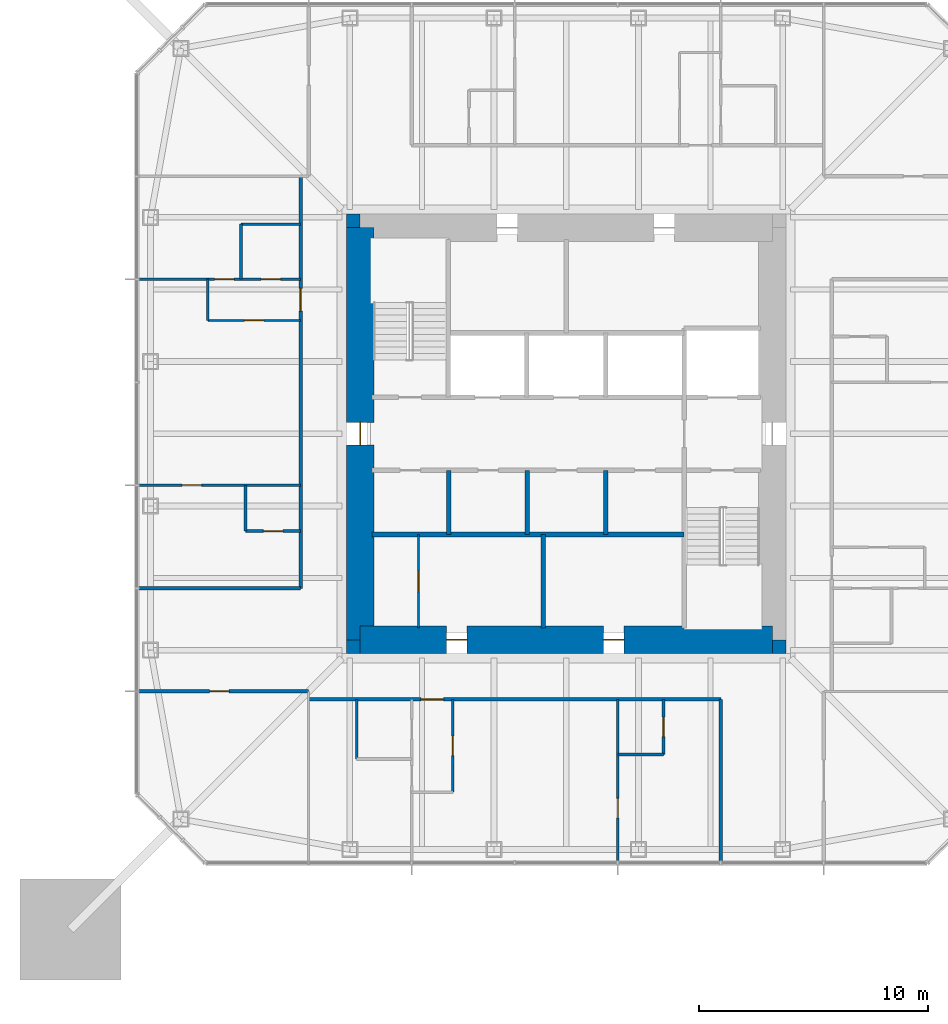
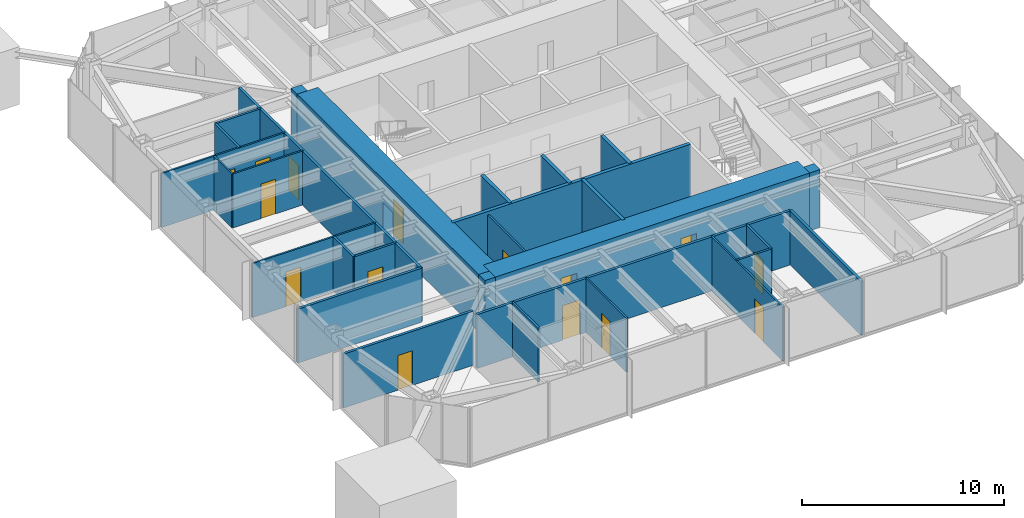
# One storey, part 6 of 11: 29 walls, 15 doors, 15 openings.
"""IFC4 building model written with IfcOpenShell, lengths in metres."""

import ifcopenshell
import ifcopenshell.guid

model = None  # the IFC model being written
_history = None  # IfcOwnerHistory: only IFC2X3 demands one
_inside = {}  # id of a spatial element -> (the spatial element, [elements in it])
_under = {}  # id of a project, library or spatial element -> (it, [spatial elements below it])
_declared = {}  # id of a project -> (the project, [libraries it declares])
_typed = {}  # id of a type object -> (the type object, [elements of that type])
_made_of = {}  # id of a material, layer set ... -> (it, [elements and type objects made of it])


def new_model(schema):
    """Start an empty IFC model of exactly this schema.

    Asked for "IFC4X3", IfcOpenShell would pick the latest addendum, in which some entities
    have other attributes; the version numbers below select the first issue.
    IFC2X3 requires an IfcOwnerHistory on every rooted entity: one is made here for all.
    """
    global model, _history
    if schema == "IFC4X3":
        model = ifcopenshell.file(schema_version=(4, 3, 0, 0))
    else:
        model = ifcopenshell.file(schema=schema)
    _inside.clear()
    _under.clear()
    _declared.clear()
    _typed.clear()
    _made_of.clear()
    _history = None
    if model.schema == "IFC2X3":
        org = make("IfcOrganization", Name="unknown")
        user = make(
            "IfcPersonAndOrganization",
            ThePerson=make("IfcPerson", FamilyName="unknown"),
            TheOrganization=org,
        )
        app = make(
            "IfcApplication",
            ApplicationDeveloper=org,
            Version="unknown",
            ApplicationFullName="unknown",
            ApplicationIdentifier="unknown",
        )
        _history = make(
            "IfcOwnerHistory",
            OwningUser=user,
            OwningApplication=app,
            ChangeAction="ADDED",
            CreationDate=0,
        )
    return model


def make(cls, **values):
    """One entity of the class cls with the attributes given. An attribute that is None is left unset."""
    return model.create_entity(
        cls, **{name: value for name, value in values.items() if value is not None}
    )


def rooted(cls, **values):
    """An entity with a GlobalId (a new one), such as an element, a storey or a relation."""
    return make(cls, GlobalId=ifcopenshell.guid.new(), OwnerHistory=_history, **values)


def si_unit(unit_type, name, prefix=None):
    """IfcSIUnit, for example si_unit("LENGTHUNIT", "METRE", prefix="MILLI")."""
    return make("IfcSIUnit", UnitType=unit_type, Prefix=prefix, Name=name)


def assignment(units):
    """IfcUnitAssignment: the units of a project."""
    return None if units is None else make("IfcUnitAssignment", Units=units)


def point(xyz):
    """IfcCartesianPoint."""
    return None if xyz is None else make("IfcCartesianPoint", Coordinates=xyz)


def direction(xyz):
    """IfcDirection."""
    return None if xyz is None else make("IfcDirection", DirectionRatios=xyz)


def frame(location, z_axis=None, x_axis=None):
    """IfcAxis2Placement3D, a coordinate frame: its origin and axes. An axis left out is left unset."""
    return make(
        "IfcAxis2Placement3D",
        Location=point(location),
        Axis=direction(z_axis),
        RefDirection=direction(x_axis),
    )


def frame_2d(location, x_axis=None):
    """IfcAxis2Placement2D, a coordinate frame in the plane: its origin and x axis."""
    return make(
        "IfcAxis2Placement2D", Location=point(location), RefDirection=direction(x_axis)
    )


def origin():
    """The frame at (0, 0, 0) with its axes left unset."""
    return frame((0.0, 0.0, 0.0))


def place(relative_to, where):
    """IfcLocalPlacement: puts the frame where relative to a parent placement (None: the world)."""
    return make(
        "IfcLocalPlacement", PlacementRelTo=relative_to, RelativePlacement=where
    )


def context(
    kind, dimensions, precision=None, world=None, true_north=None, identifier=None
):
    """IfcGeometricRepresentationContext, for example the 3D "Model" context."""
    return make(
        "IfcGeometricRepresentationContext",
        ContextIdentifier=identifier,
        ContextType=kind,
        CoordinateSpaceDimension=dimensions,
        Precision=precision,
        WorldCoordinateSystem=world,
        TrueNorth=true_north,
    )


def subcontext(parent, identifier, kind, view, scale=None):
    """IfcGeometricRepresentationSubContext, for example "Body" below "Model"."""
    return make(
        "IfcGeometricRepresentationSubContext",
        ContextIdentifier=identifier,
        ContextType=kind,
        ParentContext=parent,
        TargetScale=scale,
        TargetView=view,
    )


def project(units=None, contexts=None):
    """IfcProject with its units and contexts."""
    return rooted(
        "IfcProject",
        Name="project",
        RepresentationContexts=contexts,
        UnitsInContext=assignment(units),
    )


def spatial(cls, under=None, at=None, **own):
    """A site, building, storey or space (cls), placed at a placement, below another one or the project."""
    s = rooted(cls, ObjectPlacement=at, **own)
    if under is not None:
        _under.setdefault(under.id(), (under, []))[1].append(s)
    return s


def profile(cls, at=None, kind="AREA", **sizes):
    """A parametric profile (cls). Its sizes go by their IFC names, for example OverallWidth=200.0."""
    return make(cls, ProfileType=kind, Position=at, **sizes)


def rectangle(**sizes):
    """IfcRectangleProfileDef."""
    return profile("IfcRectangleProfileDef", **sizes)


def extrude(swept, where, along, depth):
    """IfcExtrudedAreaSolid: the profile swept, set in the frame where, extruded along a direction by depth."""
    return make(
        "IfcExtrudedAreaSolid",
        SweptArea=swept,
        Position=where,
        ExtrudedDirection=direction(along),
        Depth=depth,
    )


def shape(context_of_items, identifier, shape_type, items):
    """IfcShapeRepresentation: the items that make up one representation, for example the "Body"."""
    return make(
        "IfcShapeRepresentation",
        ContextOfItems=context_of_items,
        RepresentationIdentifier=identifier,
        RepresentationType=shape_type,
        Items=items,
    )


def material(Name=None, Category=None):
    """IfcMaterial."""
    return make("IfcMaterial", Name=Name, Category=Category)


def layer(
    of_material, thickness, ventilated=None, Name=None, Category=None, Priority=None
):
    """IfcMaterialLayer: one layer of a wall or slab, of a material (None: an air gap)."""
    return make(
        "IfcMaterialLayer",
        Material=of_material,
        LayerThickness=thickness,
        IsVentilated=ventilated,
        Name=Name,
        Category=Category,
        Priority=Priority,
    )


def layer_set(layers, Name=None):
    """IfcMaterialLayerSet."""
    return make("IfcMaterialLayerSet", MaterialLayers=layers, LayerSetName=Name)


def made_of(thing, what):
    """Note that an element or type object is made of a material, layer set ...; save() writes the relation."""
    if what is not None:
        _made_of.setdefault(what.id(), (what, []))[1].append(thing)
    return thing


def type_object(cls, material=None, **own):
    """A type object (cls), such as IfcWallType, which elements share."""
    return made_of(rooted(cls, **own), material)


def element(
    cls,
    number,
    at=None,
    inside=None,
    cuts=None,
    type_object=None,
    material=None,
    context=None,
    identifier="Body",
    shape_type=None,
    held_by="IfcProductDefinitionShape",
    body=None,
    shapes=None,
    **own,
):
    """One element of the class cls, such as IfcWall. Its Tag is "e" and its number.

    at: its placement. inside: the storey or other place that contains it. cuts: it is an
    opening in that element (IfcRelVoidsElement). A single representation is given by context,
    identifier, shape_type and body (its items); several are given by shapes. held_by: the class
    of the entity that holds the representations. save() writes the other relations.
    """
    e = rooted(cls, Tag="e%d" % number, ObjectPlacement=at, **own)
    if body is not None:
        shapes = [shape(context, identifier, shape_type, body)]
    if shapes is not None:
        e.Representation = make(held_by, Representations=shapes)
    if inside is not None:
        _inside.setdefault(inside.id(), (inside, []))[1].append(e)
    if cuts is not None:
        rooted(
            "IfcRelVoidsElement", RelatingBuildingElement=cuts, RelatedOpeningElement=e
        )
    if type_object is not None:
        _typed.setdefault(type_object.id(), (type_object, []))[1].append(e)
    return made_of(e, material)


def fill(opening, filler):
    """IfcRelFillsElement: the door or window that sits in an opening."""
    return rooted(
        "IfcRelFillsElement",
        RelatingOpeningElement=opening,
        RelatedBuildingElement=filler,
    )


def aggregate(whole, parts):
    """IfcRelAggregates: a whole, such as a stair, and the parts it consists of."""
    return rooted("IfcRelAggregates", RelatingObject=whole, RelatedObjects=parts)


def save(model, path):
    """Write the relations noted so far, then the file.

    IfcRelAggregates (storeys below a building ...), IfcRelContainedInSpatialStructure (elements
    in a storey), IfcRelDefinesByType, IfcRelAssociatesMaterial and IfcRelDeclares: one each for
    every whole, place, type object, material and project.
    """
    for whole, parts in _under.values():
        aggregate(whole, parts)
    for where, things in _inside.values():
        rooted(
            "IfcRelContainedInSpatialStructure",
            RelatedElements=things,
            RelatingStructure=where,
        )
    for kind, things in _typed.values():
        rooted("IfcRelDefinesByType", RelatedObjects=things, RelatingType=kind)
    for what, things in _made_of.values():
        rooted("IfcRelAssociatesMaterial", RelatedObjects=things, RelatingMaterial=what)
    for by, libraries in _declared.values():
        rooted("IfcRelDeclares", RelatingContext=by, RelatedDefinitions=libraries)
    model.write(path)


model = new_model("IFC4")

# Units and contexts
model_context = context("Model", 3, precision=1e-05, world=origin(), true_north=direction((0.0, 1.0)))
body_context = subcontext(model_context, "Body", "Model", "MODEL_VIEW")
ifc_project = project(units=[si_unit("LENGTHUNIT", "METRE"), si_unit("AREAUNIT", "SQUARE_METRE"), si_unit("VOLUMEUNIT", "CUBIC_METRE"), si_unit("PLANEANGLEUNIT", "RADIAN"), si_unit("MASSUNIT", "GRAM", prefix="KILO")], contexts=[model_context])

# Site, building, storey
site_placement = place(None, origin())
site = spatial("IfcSite", under=ifc_project, at=site_placement, CompositionType="ELEMENT")
building_placement = place(site_placement, origin())
building = spatial("IfcBuilding", under=site, at=building_placement, Name="Iwan Alto Co-Living Towers", CompositionType="ELEMENT")
storey_placement = place(building_placement, frame((0.0, 0.0, 181.0)))
storey = spatial("IfcBuildingStorey", under=building, at=storey_placement, Name="L49", CompositionType="ELEMENT", Elevation=181.0)

# Wall, opening, door
ifc_material_1 = material(Name="Gypsum board")
ifc_layer_1 = layer(ifc_material_1, 0.02490234375, Name="Board", Category="Finish")
ifc_material_2 = material(Name="Steel ASTM A1003 ST33H cold-formed studs", Category="steel")
ifc_layer_2 = layer(ifc_material_2, 0.10009765625, Name="Studs", Category="Framing")
ifc_layer_3 = layer(ifc_material_1, 0.02490234375, Name="Board", Category="Finish")
ifc_layer_set_1 = layer_set([ifc_layer_1, ifc_layer_2, ifc_layer_3], Name="CORRIDOR WALL 150")
wall_type_1 = type_object("IfcWallType", Name="CORRIDOR WALL 150", PredefinedType="PARTITIONING", material=ifc_layer_set_1)
wall_1_placement = place(storey_placement, frame((-11.25, -11.60009765625, 0.0), z_axis=(0.0, 0.0, 1.0), x_axis=(1.0, 0.0, 0.0)))
wall_1 = element("IfcWall", 1, at=wall_1_placement, inside=storey, type_object=wall_type_1, Name="Partition L49", PredefinedType="PARTITIONING", context=body_context, shape_type="SweptSolid", body=[
    extrude(rectangle(XDim=18.0, YDim=0.14990234375, at=frame_2d((9.0, 0.0))), origin(), (0.0, 0.0, 1.0), 3.27001953125),
])
opening_1_placement = place(wall_1_placement, frame((4.89990234375, 0.0, 0.0)))
opening_1 = element("IfcOpeningElement", 2, at=opening_1_placement, cuts=wall_1, Name="Opening D3", PredefinedType="OPENING", context=body_context, shape_type="SweptSolid", body=[
    extrude(rectangle(XDim=1.0, YDim=2.10009765625, at=frame_2d((0.5, 1.050048828125))), frame((0.0, 0.0849609375, 0.0), z_axis=(0.0, -1.0, 0.0), x_axis=(1.0, 0.0, 0.0)), (0.0, 0.0, 1.0), 0.169921875),
])
ifc_material_3 = material(Name="Steel frame with timber leaf", Category="steel")
door_type_1 = type_object("IfcDoorType", Name="FLAT ENTRANCE DOOR FD30S 1000X2100", OperationType="SINGLE_SWING_LEFT", PredefinedType="DOOR", material=ifc_material_3)
door_1_placement = place(opening_1_placement, frame((1.0, 0.0, 0.0), z_axis=(0.0, 0.0, 1.0), x_axis=(-1.0, 0.0, 0.0)))
door_1 = element("IfcDoor", 3, at=door_1_placement, inside=storey, type_object=door_type_1, Name="Apartment foyer door L49", OperationType="SINGLE_SWING_RIGHT", OverallHeight=2.10009765625, OverallWidth=1.0, PredefinedType="DOOR", context=body_context, shape_type="SweptSolid", body=[
    extrude(rectangle(XDim=1.0, YDim=2.10009765625, at=frame_2d((0.5, 1.050048828125))), frame((0.0, 0.02490234375, 0.0), z_axis=(0.0, -1.0, 0.0), x_axis=(1.0, 0.0, 0.0)), (0.0, 0.0, 1.0), 0.050048828125),
])
fill(opening_1, door_1)

wall_2_placement = place(storey_placement, frame((-18.68994140625, -11.25, 0.0), z_axis=(0.0, 0.0, 1.0), x_axis=(1.0, 0.0, 0.0)))
wall_2 = element("IfcWall", 4, at=wall_2_placement, inside=storey, type_object=wall_type_1, Name="Partition L49", PredefinedType="PARTITIONING", context=body_context, shape_type="SweptSolid", body=[
    extrude(rectangle(XDim=7.43994140625, YDim=0.14990234375, at=frame_2d((3.719970703125, 0.0))), origin(), (0.0, 0.0, 1.0), 3.27001953125),
])
opening_2_placement = place(wall_2_placement, frame((3.1201171875, 0.0, 0.0)))
opening_2 = element("IfcOpeningElement", 5, at=opening_2_placement, cuts=wall_2, Name="Opening D2", PredefinedType="OPENING", context=body_context, shape_type="SweptSolid", body=[
    extrude(rectangle(XDim=0.85009765625, YDim=2.10009765625, at=frame_2d((0.425048828125, 1.050048828125))), frame((0.0, 0.0849609375, 0.0), z_axis=(0.0, -1.0, 0.0), x_axis=(1.0, 0.0, 0.0)), (0.0, 0.0, 1.0), 0.169921875),
])
ifc_material_4 = material(Name="Timber leaf in steel frame", Category="steel")
door_type_2 = type_object("IfcDoorType", Name="ROOM DOOR 850X2100", OperationType="SINGLE_SWING_LEFT", PredefinedType="DOOR", material=ifc_material_4)
door_2_placement = place(opening_2_placement, frame((0.85009765625, 0.0, 0.0), z_axis=(0.0, 0.0, 1.0), x_axis=(-1.0, 0.0, 0.0)))
door_2 = element("IfcDoor", 6, at=door_2_placement, inside=storey, type_object=door_type_2, Name="Shared kitchen and lounge door L49", OperationType="SINGLE_SWING_RIGHT", OverallHeight=2.10009765625, OverallWidth=0.85009765625, PredefinedType="DOOR", context=body_context, shape_type="SweptSolid", body=[
    extrude(rectangle(XDim=0.85009765625, YDim=2.10009765625, at=frame_2d((0.425048828125, 1.050048828125))), frame((0.0, 0.02490234375, 0.0), z_axis=(0.0, -1.0, 0.0), x_axis=(1.0, 0.0, 0.0)), (0.0, 0.0, 1.0), 0.050048828125),
])
fill(opening_2, door_2)

# Walls
for number, where, z_axis, x_axis, name in (
    (7, (-18.68994140625, -6.75, 0.0), (0.0, 0.0, 1.0), (1.0, 0.0, 0.0), "Partition L49"),
    (8, (6.75, -18.68994140625, 0.0), (0.0, 0.0, 1.0), (0.0, 1.0, 0.0), "Partition L49"),
):
    element("IfcWall", number, at=place(storey_placement, frame(where, z_axis=z_axis, x_axis=x_axis)), inside=storey, type_object=wall_type_1, Name=name, PredefinedType="PARTITIONING", context=body_context, shape_type="SweptSolid", body=[
        extrude(rectangle(XDim=7.08984375, YDim=0.14990234375, at=frame_2d((3.544921875, 0.0))), origin(), (0.0, 0.0, 1.0), 3.27001953125),
    ])

# Wall, opening, door
wall_3_placement = place(storey_placement, frame((-11.60009765625, -6.75, 0.0), z_axis=(0.0, 0.0, 1.0), x_axis=(0.0, 1.0, 0.0)))
wall_3 = element("IfcWall", 9, at=wall_3_placement, inside=storey, type_object=wall_type_1, Name="Partition L49", PredefinedType="PARTITIONING", context=body_context, shape_type="SweptSolid", body=[
    extrude(rectangle(XDim=18.0, YDim=0.14990234375, at=frame_2d((9.0, 0.0))), origin(), (0.0, 0.0, 1.0), 3.27001953125),
])
opening_3_placement = place(wall_3_placement, frame((12.10009765625, 0.0, 0.0)))
opening_3 = element("IfcOpeningElement", 10, at=opening_3_placement, cuts=wall_3, Name="Opening D3", PredefinedType="OPENING", context=body_context, shape_type="SweptSolid", body=[
    extrude(rectangle(XDim=1.0, YDim=2.10009765625, at=frame_2d((0.5, 1.050048828125))), frame((0.0, 0.0849609375, 0.0), z_axis=(0.0, -1.0, 0.0), x_axis=(1.0, 0.0, 0.0)), (0.0, 0.0, 1.0), 0.169921875),
])
door_3_placement = place(opening_3_placement, origin())
door_3 = element("IfcDoor", 11, at=door_3_placement, inside=storey, type_object=door_type_1, Name="Apartment foyer door L49", OperationType="SINGLE_SWING_LEFT", OverallHeight=2.10009765625, OverallWidth=1.0, PredefinedType="DOOR", context=body_context, shape_type="SweptSolid", body=[
    extrude(rectangle(XDim=1.0, YDim=2.10009765625, at=frame_2d((0.5, 1.050048828125))), frame((0.0, 0.02490234375, 0.0), z_axis=(0.0, -1.0, 0.0), x_axis=(1.0, 0.0, 0.0)), (0.0, 0.0, 1.0), 0.050048828125),
])
fill(opening_3, door_3)

ifc_layer_4 = layer(ifc_material_1, 0.012451171875, Name="Board", Category="Finish")
ifc_layer_5 = layer(ifc_material_2, 0.074951171875, Name="Studs", Category="Framing")
ifc_layer_6 = layer(ifc_material_1, 0.012451171875, Name="Board", Category="Finish")
ifc_layer_set_2 = layer_set([ifc_layer_4, ifc_layer_5, ifc_layer_6], Name="PARTITION 100")
wall_type_2 = type_object("IfcWallType", Name="PARTITION 100", PredefinedType="PARTITIONING", material=ifc_layer_set_2)
wall_4_placement = place(storey_placement, frame((-18.68994140625, -2.25, 0.0), z_axis=(0.0, 0.0, 1.0), x_axis=(1.0, 0.0, 0.0)))
wall_4 = element("IfcWall", 12, at=wall_4_placement, inside=storey, type_object=wall_type_2, Name="Partition L49", PredefinedType="PARTITIONING", context=body_context, shape_type="SweptSolid", body=[
    extrude(rectangle(XDim=7.08984375, YDim=0.10009765625, at=frame_2d((3.544921875, 0.0))), origin(), (0.0, 0.0, 1.0), 3.27001953125),
])
opening_4_placement = place(wall_4_placement, frame((1.919921875, 0.0, 0.0)))
opening_4 = element("IfcOpeningElement", 13, at=opening_4_placement, cuts=wall_4, Name="Opening D2", PredefinedType="OPENING", context=body_context, shape_type="SweptSolid", body=[
    extrude(rectangle(XDim=0.85009765625, YDim=2.10009765625, at=frame_2d((0.425048828125, 1.050048828125))), frame((0.0, 0.06005859375, 0.0), z_axis=(0.0, -1.0, 0.0), x_axis=(1.0, 0.0, 0.0)), (0.0, 0.0, 1.0), 0.1201171875),
])
door_4_placement = place(opening_4_placement, origin())
door_4 = element("IfcDoor", 14, at=door_4_placement, inside=storey, type_object=door_type_2, Name="Bedroom door L49", OperationType="SINGLE_SWING_LEFT", OverallHeight=2.10009765625, OverallWidth=0.85009765625, PredefinedType="DOOR", context=body_context, shape_type="SweptSolid", body=[
    extrude(rectangle(XDim=0.85009765625, YDim=2.10009765625, at=frame_2d((0.425048828125, 1.050048828125))), frame((0.0, 0.02490234375, 0.0), z_axis=(0.0, -1.0, 0.0), x_axis=(1.0, 0.0, 0.0)), (0.0, 0.0, 1.0), 0.050048828125),
])
fill(opening_4, door_4)

wall_5_placement = place(storey_placement, frame((-15.64990234375, 4.949951171875, 0.0), z_axis=(0.0, 0.0, 1.0), x_axis=(1.0, 0.0, 0.0)))
wall_5 = element("IfcWall", 15, at=wall_5_placement, inside=storey, type_object=wall_type_2, Name="Partition L49", PredefinedType="PARTITIONING", context=body_context, shape_type="SweptSolid", body=[
    extrude(rectangle(XDim=4.0498046875, YDim=0.10009765625, at=frame_2d((2.02490234375, 0.0))), origin(), (0.0, 0.0, 1.0), 3.27001953125),
])
opening_5_placement = place(wall_5_placement, frame((1.60009765625, 0.0, 0.0)))
opening_5 = element("IfcOpeningElement", 16, at=opening_5_placement, cuts=wall_5, Name="Opening D2", PredefinedType="OPENING", context=body_context, shape_type="SweptSolid", body=[
    extrude(rectangle(XDim=0.85009765625, YDim=2.10009765625, at=frame_2d((0.425048828125, 1.050048828125))), frame((0.0, 0.06005859375, 0.0), z_axis=(0.0, -1.0, 0.0), x_axis=(1.0, 0.0, 0.0)), (0.0, 0.0, 1.0), 0.1201171875),
])
door_5_placement = place(opening_5_placement, frame((0.85009765625, 0.0, 0.0), z_axis=(0.0, 0.0, 1.0), x_axis=(-1.0, 0.0, 0.0)))
door_5 = element("IfcDoor", 17, at=door_5_placement, inside=storey, type_object=door_type_2, Name="Apartment foyer door L49", OperationType="SINGLE_SWING_LEFT", OverallHeight=2.10009765625, OverallWidth=0.85009765625, PredefinedType="DOOR", context=body_context, shape_type="SweptSolid", body=[
    extrude(rectangle(XDim=0.85009765625, YDim=2.10009765625, at=frame_2d((0.425048828125, 1.050048828125))), frame((0.0, 0.02490234375, 0.0), z_axis=(0.0, -1.0, 0.0), x_axis=(1.0, 0.0, 0.0)), (0.0, 0.0, 1.0), 0.050048828125),
])
fill(opening_5, door_5)

# Wall, openings, doors
wall_6_placement = place(storey_placement, frame((-18.68994140625, 6.75, 0.0), z_axis=(0.0, 0.0, 1.0), x_axis=(1.0, 0.0, 0.0)))
wall_6 = element("IfcWall", 18, at=wall_6_placement, inside=storey, type_object=wall_type_2, Name="Partition L49", PredefinedType="PARTITIONING", context=body_context, shape_type="SweptSolid", body=[
    extrude(rectangle(XDim=7.08984375, YDim=0.10009765625, at=frame_2d((3.544921875, 0.0))), origin(), (0.0, 0.0, 1.0), 3.27001953125),
])
opening_6_placement = place(wall_6_placement, frame((3.340087890625, 0.0, 0.0)))
opening_6 = element("IfcOpeningElement", 19, at=opening_6_placement, cuts=wall_6, Name="Opening D2", PredefinedType="OPENING", context=body_context, shape_type="SweptSolid", body=[
    extrude(rectangle(XDim=0.85009765625, YDim=2.10009765625, at=frame_2d((0.425048828125, 1.050048828125))), frame((0.0, 0.06005859375, 0.0), z_axis=(0.0, -1.0, 0.0), x_axis=(1.0, 0.0, 0.0)), (0.0, 0.0, 1.0), 0.1201171875),
])
opening_7_placement = place(wall_6_placement, frame((5.364990234375, 0.0, 0.0)))
opening_7 = element("IfcOpeningElement", 20, at=opening_7_placement, cuts=wall_6, Name="Opening D2", PredefinedType="OPENING", context=body_context, shape_type="SweptSolid", body=[
    extrude(rectangle(XDim=0.85009765625, YDim=2.10009765625, at=frame_2d((0.425048828125, 1.050048828125))), frame((0.0, 0.06005859375, 0.0), z_axis=(0.0, -1.0, 0.0), x_axis=(1.0, 0.0, 0.0)), (0.0, 0.0, 1.0), 0.1201171875),
])
door_6_placement = place(opening_6_placement, origin())
door_6 = element("IfcDoor", 21, at=door_6_placement, inside=storey, type_object=door_type_2, Name="Bedroom door L49", OperationType="SINGLE_SWING_RIGHT", OverallHeight=2.10009765625, OverallWidth=0.85009765625, PredefinedType="DOOR", context=body_context, shape_type="SweptSolid", body=[
    extrude(rectangle(XDim=0.85009765625, YDim=2.10009765625, at=frame_2d((0.425048828125, 1.050048828125))), frame((0.0, 0.02490234375, 0.0), z_axis=(0.0, -1.0, 0.0), x_axis=(1.0, 0.0, 0.0)), (0.0, 0.0, 1.0), 0.050048828125),
])
fill(opening_6, door_6)
door_7_placement = place(opening_7_placement, origin())
door_7 = element("IfcDoor", 22, at=door_7_placement, inside=storey, type_object=door_type_2, Name="Bathroom door L49", OperationType="SINGLE_SWING_LEFT", OverallHeight=2.10009765625, OverallWidth=0.85009765625, PredefinedType="DOOR", context=body_context, shape_type="SweptSolid", body=[
    extrude(rectangle(XDim=0.85009765625, YDim=2.10009765625, at=frame_2d((0.425048828125, 1.050048828125))), frame((0.0, 0.02490234375, 0.0), z_axis=(0.0, -1.0, 0.0), x_axis=(1.0, 0.0, 0.0)), (0.0, 0.0, 1.0), 0.050048828125),
])
fill(opening_7, door_7)

# Wall, opening, door
wall_7_placement = place(storey_placement, frame((2.25, -18.68994140625, 0.0), z_axis=(0.0, 0.0, 1.0), x_axis=(0.0, 1.0, 0.0)))
wall_7 = element("IfcWall", 23, at=wall_7_placement, inside=storey, type_object=wall_type_2, Name="Partition L49", PredefinedType="PARTITIONING", context=body_context, shape_type="SweptSolid", body=[
    extrude(rectangle(XDim=7.08984375, YDim=0.10009765625, at=frame_2d((3.544921875, 0.0))), origin(), (0.0, 0.0, 1.0), 3.27001953125),
])
opening_8_placement = place(wall_7_placement, frame((1.919921875, 0.0, 0.0)))
opening_8 = element("IfcOpeningElement", 24, at=opening_8_placement, cuts=wall_7, Name="Opening D2", PredefinedType="OPENING", context=body_context, shape_type="SweptSolid", body=[
    extrude(rectangle(XDim=0.85009765625, YDim=2.10009765625, at=frame_2d((0.425048828125, 1.050048828125))), frame((0.0, 0.06005859375, 0.0), z_axis=(0.0, -1.0, 0.0), x_axis=(1.0, 0.0, 0.0)), (0.0, 0.0, 1.0), 0.1201171875),
])
door_8_placement = place(opening_8_placement, origin())
door_8 = element("IfcDoor", 25, at=door_8_placement, inside=storey, type_object=door_type_2, Name="Bedroom door L49", OperationType="SINGLE_SWING_LEFT", OverallHeight=2.10009765625, OverallWidth=0.85009765625, PredefinedType="DOOR", context=body_context, shape_type="SweptSolid", body=[
    extrude(rectangle(XDim=0.85009765625, YDim=2.10009765625, at=frame_2d((0.425048828125, 1.050048828125))), frame((0.0, 0.02490234375, 0.0), z_axis=(0.0, -1.0, 0.0), x_axis=(1.0, 0.0, 0.0)), (0.0, 0.0, 1.0), 0.050048828125),
])
fill(opening_8, door_8)

wall_8_placement = place(storey_placement, frame((-4.949951171875, -15.64990234375, 0.0), z_axis=(0.0, 0.0, 1.0), x_axis=(0.0, 1.0, 0.0)))
wall_8 = element("IfcWall", 26, at=wall_8_placement, inside=storey, type_object=wall_type_2, Name="Partition L49", PredefinedType="PARTITIONING", context=body_context, shape_type="SweptSolid", body=[
    extrude(rectangle(XDim=4.0498046875, YDim=0.10009765625, at=frame_2d((2.02490234375, 0.0))), origin(), (0.0, 0.0, 1.0), 3.27001953125),
])
opening_9_placement = place(wall_8_placement, frame((1.60009765625, 0.0, 0.0)))
opening_9 = element("IfcOpeningElement", 27, at=opening_9_placement, cuts=wall_8, Name="Opening D2", PredefinedType="OPENING", context=body_context, shape_type="SweptSolid", body=[
    extrude(rectangle(XDim=0.85009765625, YDim=2.10009765625, at=frame_2d((0.425048828125, 1.050048828125))), frame((0.0, 0.06005859375, 0.0), z_axis=(0.0, -1.0, 0.0), x_axis=(1.0, 0.0, 0.0)), (0.0, 0.0, 1.0), 0.1201171875),
])
door_9_placement = place(opening_9_placement, frame((0.85009765625, 0.0, 0.0), z_axis=(0.0, 0.0, 1.0), x_axis=(-1.0, 0.0, 0.0)))
door_9 = element("IfcDoor", 28, at=door_9_placement, inside=storey, type_object=door_type_2, Name="Apartment foyer door L49", OperationType="SINGLE_SWING_LEFT", OverallHeight=2.10009765625, OverallWidth=0.85009765625, PredefinedType="DOOR", context=body_context, shape_type="SweptSolid", body=[
    extrude(rectangle(XDim=0.85009765625, YDim=2.10009765625, at=frame_2d((0.425048828125, 1.050048828125))), frame((0.0, 0.02490234375, 0.0), z_axis=(0.0, -1.0, 0.0), x_axis=(1.0, 0.0, 0.0)), (0.0, 0.0, 1.0), 0.050048828125),
])
fill(opening_9, door_9)

wall_9_placement = place(storey_placement, frame((-6.449951171875, -8.489990234375, 0.0), z_axis=(0.0, 0.0, 1.0), x_axis=(0.0, 1.0, 0.0)))
wall_9 = element("IfcWall", 29, at=wall_9_placement, inside=storey, type_object=wall_type_2, Name="Partition L49", PredefinedType="PARTITIONING", context=body_context, shape_type="SweptSolid", body=[
    extrude(rectangle(XDim=4.090087890625, YDim=0.10009765625, at=frame_2d((2.044921875, 0.0))), origin(), (0.0, 0.0, 1.0), 3.300048828125),
])
opening_10_placement = place(wall_9_placement, frame((1.594970703125, 0.0, 0.0)))
opening_10 = element("IfcOpeningElement", 30, at=opening_10_placement, cuts=wall_9, Name="Opening D16", PredefinedType="OPENING", context=body_context, shape_type="SweptSolid", body=[
    extrude(rectangle(XDim=0.89990234375, YDim=2.10009765625, at=frame_2d((0.449951171875, 1.050048828125))), frame((0.0, 0.06005859375, 0.0), z_axis=(0.0, -1.0, 0.0), x_axis=(1.0, 0.0, 0.0)), (0.0, 0.0, 1.0), 0.1201171875),
])
ifc_material_5 = material(Name="Timber leaf in steel frame", Category="steel")
door_type_3 = type_object("IfcDoorType", Name="CUPBOARD SLIDING DOOR 900X2100", OperationType="SLIDING_TO_LEFT", PredefinedType="DOOR", material=ifc_material_5)
door_10_placement = place(opening_10_placement, origin())
door_10 = element("IfcDoor", 31, at=door_10_placement, inside=storey, type_object=door_type_3, Name="Bin store door L49", OperationType="SLIDING_TO_LEFT", OverallHeight=2.10009765625, OverallWidth=0.89990234375, PredefinedType="DOOR", context=body_context, shape_type="SweptSolid", body=[
    extrude(rectangle(XDim=0.89990234375, YDim=2.10009765625, at=frame_2d((0.449951171875, 1.050048828125))), frame((0.0, 0.02490234375, 0.0), z_axis=(0.0, -1.0, 0.0), x_axis=(1.0, 0.0, 0.0)), (0.0, 0.0, 1.0), 0.050048828125),
])
fill(opening_10, door_10)

# Walls
wall_10_placement = place(storey_placement, frame((-15.64990234375, 4.949951171875, 0.0), z_axis=(0.0, 0.0, 1.0), x_axis=(0.0, 1.0, 0.0)))
element("IfcWall", 32, at=wall_10_placement, inside=storey, type_object=wall_type_2, Name="Partition L49", PredefinedType="PARTITIONING", context=body_context, shape_type="SweptSolid", body=[
    extrude(rectangle(XDim=1.800048828125, YDim=0.10009765625, at=frame_2d((0.89990234375, 0.0))), origin(), (0.0, 0.0, 1.0), 3.27001953125),
])
ifc_material_6 = material(Name="Concrete f'c 70 MPa", Category="concrete")
ifc_layer_7 = layer(ifc_material_6, 0.199951171875)
ifc_layer_set_3 = layer_set([ifc_layer_7], Name="SHAFT WALL 200")
wall_type_3 = type_object("IfcWallType", Name="SHAFT WALL 200", PredefinedType="SOLIDWALL", material=ifc_layer_set_3)
wall_11_placement = place(storey_placement, frame((-8.489990234375, -4.39990234375, 0.0), z_axis=(0.0, 0.0, 1.0), x_axis=(1.0, 0.0, 0.0)))
element("IfcWall", 33, at=wall_11_placement, inside=storey, type_object=wall_type_3, Name="Shaft wall L49", PredefinedType="SOLIDWALL", context=body_context, shape_type="SweptSolid", body=[
    extrude(rectangle(XDim=13.639892578125, YDim=0.199951171875, at=frame_2d((6.81982421875, 0.0))), origin(), (0.0, 0.0, 1.0), 3.5),
])
wall_12_placement = place(storey_placement, frame((1.72509765625, -4.39990234375, 0.0), z_axis=(0.0, 0.0, 1.0), x_axis=(0.0, 1.0, 0.0)))
element("IfcWall", 34, at=wall_12_placement, inside=storey, type_object=wall_type_3, Name="Shaft wall L49", PredefinedType="SOLIDWALL", context=body_context, shape_type="SweptSolid", body=[
    extrude(rectangle(XDim=2.7998046875, YDim=0.199951171875, at=frame_2d((1.39990234375, 0.0))), origin(), (0.0, 0.0, 1.0), 3.5),
])
wall_13_placement = place(storey_placement, frame((-1.0, -8.489990234375, 0.0), z_axis=(0.0, 0.0, 1.0), x_axis=(0.0, 1.0, 0.0)))
element("IfcWall", 35, at=wall_13_placement, inside=storey, type_object=wall_type_3, Name="Shaft wall L49", PredefinedType="SOLIDWALL", context=body_context, shape_type="SweptSolid", body=[
    extrude(rectangle(XDim=4.090087890625, YDim=0.199951171875, at=frame_2d((2.044921875, 0.0))), origin(), (0.0, 0.0, 1.0), 3.5),
])
for number, where, z_axis, x_axis, name in (
    (36, (-1.699951171875, -4.39990234375, 0.0), (0.0, 0.0, 1.0), (0.0, 1.0, 0.0), "Shaft wall L49"),
    (37, (-5.125, -4.39990234375, 0.0), (0.0, 0.0, 1.0), (0.0, 1.0, 0.0), "Shaft wall L49"),
):
    element("IfcWall", number, at=place(storey_placement, frame(where, z_axis=z_axis, x_axis=x_axis)), inside=storey, type_object=wall_type_3, Name=name, PredefinedType="SOLIDWALL", context=body_context, shape_type="SweptSolid", body=[
        extrude(rectangle(XDim=2.7998046875, YDim=0.199951171875, at=frame_2d((1.39990234375, 0.0))), origin(), (0.0, 0.0, 1.0), 3.5),
    ])
ifc_material_7 = material(Name="Concrete f'c 70 MPa", Category="concrete")
ifc_layer_8 = layer(ifc_material_7, 0.60009765625)
ifc_layer_set_4 = layer_set([ifc_layer_8], Name="T1 CORE CORNER FILL 600")
wall_type_4 = type_object("IfcWallType", Name="T1 CORE CORNER FILL 600", PredefinedType="SOLIDWALL", material=ifc_layer_set_4)
for number, where, z_axis, x_axis, name in (
    (38, (-9.60009765625, -9.300048828125, 0.0), (0.0, 0.0, 1.0), (1.0, 0.0, 0.0), "T1 core corner SW L49"),
    (39, (9.0, -9.300048828125, 0.0), (0.0, 0.0, 1.0), (1.0, 0.0, 0.0), "T1 core corner SE L49"),
    (40, (-9.60009765625, 9.300048828125, 0.0), (0.0, 0.0, 1.0), (1.0, 0.0, 0.0), "T1 core corner NW L49"),
):
    element("IfcWall", number, at=place(storey_placement, frame(where, z_axis=z_axis, x_axis=x_axis)), inside=storey, type_object=wall_type_4, Name=name, PredefinedType="SOLIDWALL", context=body_context, shape_type="SweptSolid", body=[
        extrude(rectangle(XDim=0.60009765625, YDim=0.60009765625, at=frame_2d((0.300048828125, 0.0))), origin(), (0.0, 0.0, 1.0), 3.5),
    ])

# Wall, openings, doors
ifc_material_8 = material(Name="Concrete f'c 70 MPa", Category="concrete")
ifc_layer_9 = layer(ifc_material_8, 1.199951171875)
ifc_layer_set_5 = layer_set([ifc_layer_9], Name="T1 CORE WALL 1200")
wall_type_5 = type_object("IfcWallType", Name="T1 CORE WALL 1200", PredefinedType="SHEAR", material=ifc_layer_set_5)
wall_14_placement = place(storey_placement, frame((-9.0, -9.0, 0.0), z_axis=(0.0, 0.0, 1.0), x_axis=(1.0, 0.0, 0.0)))
wall_14 = element("IfcWall", 41, at=wall_14_placement, inside=storey, type_object=wall_type_5, Name="T1 core wall S L49", PredefinedType="SHEAR", context=body_context, shape_type="SweptSolid", body=[
    extrude(rectangle(XDim=18.0, YDim=1.199951171875, at=frame_2d((9.0, 0.0))), origin(), (0.0, 0.0, 1.0), 3.5),
])
opening_11_placement = place(wall_14_placement, frame((3.77490234375, 0.0, 0.0)))
opening_11 = element("IfcOpeningElement", 42, at=opening_11_placement, cuts=wall_14, Name="Opening D8", PredefinedType="OPENING", context=body_context, shape_type="SweptSolid", body=[
    extrude(rectangle(XDim=0.89990234375, YDim=2.10009765625, at=frame_2d((0.449951171875, 1.050048828125))), frame((0.0, 0.60986328125, 0.0), z_axis=(0.0, -1.0, 0.0), x_axis=(1.0, 0.0, 0.0)), (0.0, 0.0, 1.0), 1.219970703125),
])
opening_12_placement = place(wall_14_placement, frame((10.625, 0.0, 0.0)))
opening_12 = element("IfcOpeningElement", 43, at=opening_12_placement, cuts=wall_14, Name="Opening D8", PredefinedType="OPENING", context=body_context, shape_type="SweptSolid", body=[
    extrude(rectangle(XDim=0.89990234375, YDim=2.10009765625, at=frame_2d((0.449951171875, 1.050048828125))), frame((0.0, 0.60986328125, 0.0), z_axis=(0.0, -1.0, 0.0), x_axis=(1.0, 0.0, 0.0)), (0.0, 0.0, 1.0), 1.219970703125),
])
ifc_material_9 = material(Name="Steel frame with timber leaf", Category="steel")
door_type_4 = type_object("IfcDoorType", Name="RISER DOOR FD120 900X2100", OperationType="SINGLE_SWING_LEFT", PredefinedType="DOOR", material=ifc_material_9)
door_11_placement = place(opening_11_placement, origin())
door_11 = element("IfcDoor", 44, at=door_11_placement, inside=storey, type_object=door_type_4, Name="Refuse room core door L49", OperationType="SINGLE_SWING_LEFT", OverallHeight=2.10009765625, OverallWidth=0.89990234375, PredefinedType="DOOR", context=body_context, shape_type="SweptSolid", body=[
    extrude(rectangle(XDim=0.89990234375, YDim=2.10009765625, at=frame_2d((0.449951171875, 1.050048828125))), frame((0.0, 0.02490234375, 0.0), z_axis=(0.0, -1.0, 0.0), x_axis=(1.0, 0.0, 0.0)), (0.0, 0.0, 1.0), 0.050048828125),
])
fill(opening_11, door_11)
door_12_placement = place(opening_12_placement, origin())
door_12 = element("IfcDoor", 45, at=door_12_placement, inside=storey, type_object=door_type_4, Name="Telecom riser core door L49", OperationType="SINGLE_SWING_LEFT", OverallHeight=2.10009765625, OverallWidth=0.89990234375, PredefinedType="DOOR", context=body_context, shape_type="SweptSolid", body=[
    extrude(rectangle(XDim=0.89990234375, YDim=2.10009765625, at=frame_2d((0.449951171875, 1.050048828125))), frame((0.0, 0.02490234375, 0.0), z_axis=(0.0, -1.0, 0.0), x_axis=(1.0, 0.0, 0.0)), (0.0, 0.0, 1.0), 0.050048828125),
])
fill(opening_12, door_12)

# Wall, opening, door
wall_15_placement = place(storey_placement, frame((-9.0, 9.0, 0.0), z_axis=(0.0, 0.0, 1.0), x_axis=(0.0, -1.0, 0.0)))
wall_15 = element("IfcWall", 46, at=wall_15_placement, inside=storey, type_object=wall_type_5, Name="T1 core wall W L49", PredefinedType="SHEAR", context=body_context, shape_type="SweptSolid", body=[
    extrude(rectangle(XDim=18.0, YDim=1.199951171875, at=frame_2d((9.0, 0.0))), origin(), (0.0, 0.0, 1.0), 3.5),
])
opening_13_placement = place(wall_15_placement, frame((8.5, 0.0, 0.0)))
opening_13 = element("IfcOpeningElement", 47, at=opening_13_placement, cuts=wall_15, Name="Opening D7", PredefinedType="OPENING", context=body_context, shape_type="SweptSolid", body=[
    extrude(rectangle(XDim=1.0, YDim=2.10009765625, at=frame_2d((0.5, 1.050048828125))), frame((0.0, 0.60986328125, 0.0), z_axis=(0.0, -1.0, 0.0), x_axis=(1.0, 0.0, 0.0)), (0.0, 0.0, 1.0), 1.219970703125),
])
ifc_material_10 = material(Name="Steel frame with timber leaf", Category="steel")
door_type_5 = type_object("IfcDoorType", Name="CORE DOOR FD120S 1000X2100", OperationType="SINGLE_SWING_LEFT", PredefinedType="DOOR", material=ifc_material_10)
door_13_placement = place(opening_13_placement, origin())
door_13 = element("IfcDoor", 48, at=door_13_placement, inside=storey, type_object=door_type_5, Name="Lift lobby core door L49", OperationType="SINGLE_SWING_RIGHT", OverallHeight=2.10009765625, OverallWidth=1.0, PredefinedType="DOOR", context=body_context, shape_type="SweptSolid", body=[
    extrude(rectangle(XDim=1.0, YDim=2.10009765625, at=frame_2d((0.5, 1.050048828125))), frame((0.0, 0.02490234375, 0.0), z_axis=(0.0, -1.0, 0.0), x_axis=(1.0, 0.0, 0.0)), (0.0, 0.0, 1.0), 0.050048828125),
])
fill(opening_13, door_13)

# Wall
ifc_material_11 = material(Name="Cement board")
ifc_layer_10 = layer(ifc_material_11, 0.012451171875, Name="Board", Category="Finish")
ifc_layer_11 = layer(ifc_material_2, 0.094970703125, Name="Studs", Category="Framing")
ifc_layer_12 = layer(ifc_material_11, 0.012451171875, Name="Board", Category="Finish")
ifc_layer_set_6 = layer_set([ifc_layer_10, ifc_layer_11, ifc_layer_12], Name="WET AREA PARTITION 120")
wall_type_6 = type_object("IfcWallType", Name="WET AREA PARTITION 120", PredefinedType="PARTITIONING", material=ifc_layer_set_6)
wall_16_placement = place(storey_placement, frame((2.25, -14.0, 0.0), z_axis=(0.0, 0.0, 1.0), x_axis=(1.0, 0.0, 0.0)))
element("IfcWall", 49, at=wall_16_placement, inside=storey, type_object=wall_type_6, Name="Partition L49", PredefinedType="PARTITIONING", context=body_context, shape_type="SweptSolid", body=[
    extrude(rectangle(XDim=2.0, YDim=0.1201171875, at=frame_2d((1.0, 0.0))), origin(), (0.0, 0.0, 1.0), 3.27001953125),
])

# Wall, opening, door
wall_17_placement = place(storey_placement, frame((-14.0, -4.25, 0.0), z_axis=(0.0, 0.0, 1.0), x_axis=(1.0, 0.0, 0.0)))
wall_17 = element("IfcWall", 50, at=wall_17_placement, inside=storey, type_object=wall_type_6, Name="Partition L49", PredefinedType="PARTITIONING", context=body_context, shape_type="SweptSolid", body=[
    extrude(rectangle(XDim=2.39990234375, YDim=0.1201171875, at=frame_2d((1.199951171875, 0.0))), origin(), (0.0, 0.0, 1.0), 3.27001953125),
])
opening_14_placement = place(wall_17_placement, frame((0.77490234375, 0.0, 0.0)))
opening_14 = element("IfcOpeningElement", 51, at=opening_14_placement, cuts=wall_17, Name="Opening D2", PredefinedType="OPENING", context=body_context, shape_type="SweptSolid", body=[
    extrude(rectangle(XDim=0.85009765625, YDim=2.10009765625, at=frame_2d((0.425048828125, 1.050048828125))), frame((0.0, 0.070068359375, 0.0), z_axis=(0.0, -1.0, 0.0), x_axis=(1.0, 0.0, 0.0)), (0.0, 0.0, 1.0), 0.14013671875),
])
door_14_placement = place(opening_14_placement, frame((0.85009765625, 0.0, 0.0), z_axis=(0.0, 0.0, 1.0), x_axis=(-1.0, 0.0, 0.0)))
door_14 = element("IfcDoor", 52, at=door_14_placement, inside=storey, type_object=door_type_2, Name="En-suite shower room door L49", OperationType="SINGLE_SWING_LEFT", OverallHeight=2.10009765625, OverallWidth=0.85009765625, PredefinedType="DOOR", context=body_context, shape_type="SweptSolid", body=[
    extrude(rectangle(XDim=0.85009765625, YDim=2.10009765625, at=frame_2d((0.425048828125, 1.050048828125))), frame((0.0, 0.02490234375, 0.0), z_axis=(0.0, -1.0, 0.0), x_axis=(1.0, 0.0, 0.0)), (0.0, 0.0, 1.0), 0.050048828125),
])
fill(opening_14, door_14)

# Wall
wall_18_placement = place(storey_placement, frame((-14.199951171875, 9.14990234375, 0.0), z_axis=(0.0, 0.0, 1.0), x_axis=(1.0, 0.0, 0.0)))
element("IfcWall", 53, at=wall_18_placement, inside=storey, type_object=wall_type_6, Name="Partition L49", PredefinedType="PARTITIONING", context=body_context, shape_type="SweptSolid", body=[
    extrude(rectangle(XDim=2.599853515625, YDim=0.1201171875, at=frame_2d((1.2998046875, 0.0))), origin(), (0.0, 0.0, 1.0), 3.27001953125),
])

# Wall, opening, door
wall_19_placement = place(storey_placement, frame((4.25, -14.0, 0.0), z_axis=(0.0, 0.0, 1.0), x_axis=(0.0, 1.0, 0.0)))
wall_19 = element("IfcWall", 54, at=wall_19_placement, inside=storey, type_object=wall_type_6, Name="Partition L49", PredefinedType="PARTITIONING", context=body_context, shape_type="SweptSolid", body=[
    extrude(rectangle(XDim=2.39990234375, YDim=0.1201171875, at=frame_2d((1.199951171875, 0.0))), origin(), (0.0, 0.0, 1.0), 3.27001953125),
])
opening_15_placement = place(wall_19_placement, frame((0.77490234375, 0.0, 0.0)))
opening_15 = element("IfcOpeningElement", 55, at=opening_15_placement, cuts=wall_19, Name="Opening D2", PredefinedType="OPENING", context=body_context, shape_type="SweptSolid", body=[
    extrude(rectangle(XDim=0.85009765625, YDim=2.10009765625, at=frame_2d((0.425048828125, 1.050048828125))), frame((0.0, 0.070068359375, 0.0), z_axis=(0.0, -1.0, 0.0), x_axis=(1.0, 0.0, 0.0)), (0.0, 0.0, 1.0), 0.14013671875),
])
door_15_placement = place(opening_15_placement, frame((0.85009765625, 0.0, 0.0), z_axis=(0.0, 0.0, 1.0), x_axis=(-1.0, 0.0, 0.0)))
door_15 = element("IfcDoor", 56, at=door_15_placement, inside=storey, type_object=door_type_2, Name="En-suite shower room door L49", OperationType="SINGLE_SWING_LEFT", OverallHeight=2.10009765625, OverallWidth=0.85009765625, PredefinedType="DOOR", context=body_context, shape_type="SweptSolid", body=[
    extrude(rectangle(XDim=0.85009765625, YDim=2.10009765625, at=frame_2d((0.425048828125, 1.050048828125))), frame((0.0, 0.02490234375, 0.0), z_axis=(0.0, -1.0, 0.0), x_axis=(1.0, 0.0, 0.0)), (0.0, 0.0, 1.0), 0.050048828125),
])
fill(opening_15, door_15)

# Walls
wall_20_placement = place(storey_placement, frame((-9.14990234375, -14.199951171875, 0.0), z_axis=(0.0, 0.0, 1.0), x_axis=(0.0, 1.0, 0.0)))
element("IfcWall", 57, at=wall_20_placement, inside=storey, type_object=wall_type_6, Name="Partition L49", PredefinedType="PARTITIONING", context=body_context, shape_type="SweptSolid", body=[
    extrude(rectangle(XDim=2.599853515625, YDim=0.1201171875, at=frame_2d((1.2998046875, 0.0))), origin(), (0.0, 0.0, 1.0), 3.27001953125),
])
wall_21_placement = place(storey_placement, frame((-14.0, -4.25, 0.0), z_axis=(0.0, 0.0, 1.0), x_axis=(0.0, 1.0, 0.0)))
element("IfcWall", 58, at=wall_21_placement, inside=storey, type_object=wall_type_6, Name="Partition L49", PredefinedType="PARTITIONING", context=body_context, shape_type="SweptSolid", body=[
    extrude(rectangle(XDim=2.0, YDim=0.1201171875, at=frame_2d((1.0, 0.0))), origin(), (0.0, 0.0, 1.0), 3.27001953125),
])
wall_22_placement = place(storey_placement, frame((-14.199951171875, 6.75, 0.0), z_axis=(0.0, 0.0, 1.0), x_axis=(0.0, 1.0, 0.0)))
element("IfcWall", 59, at=wall_22_placement, inside=storey, type_object=wall_type_6, Name="Partition L49", PredefinedType="PARTITIONING", context=body_context, shape_type="SweptSolid", body=[
    extrude(rectangle(XDim=2.39990234375, YDim=0.1201171875, at=frame_2d((1.199951171875, 0.0))), origin(), (0.0, 0.0, 1.0), 3.27001953125),
])

save(model, "model.ifc")
